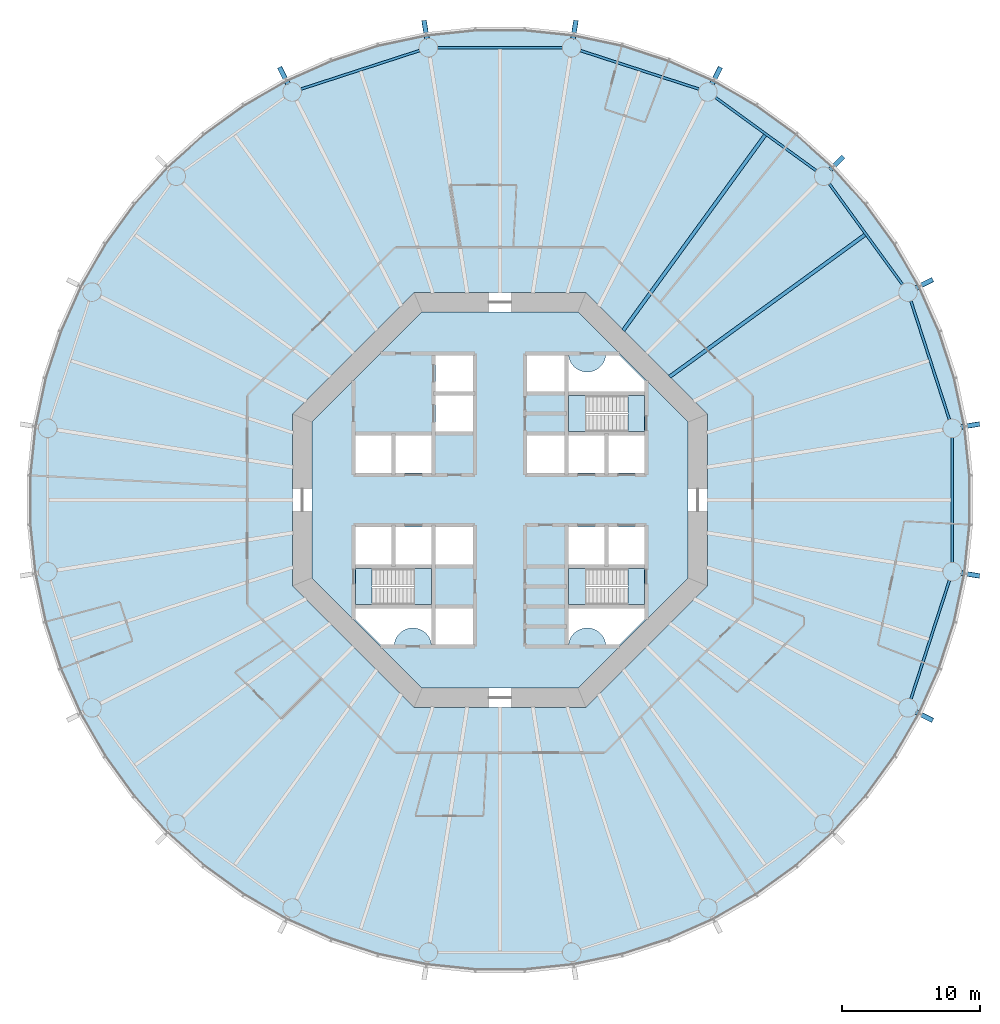
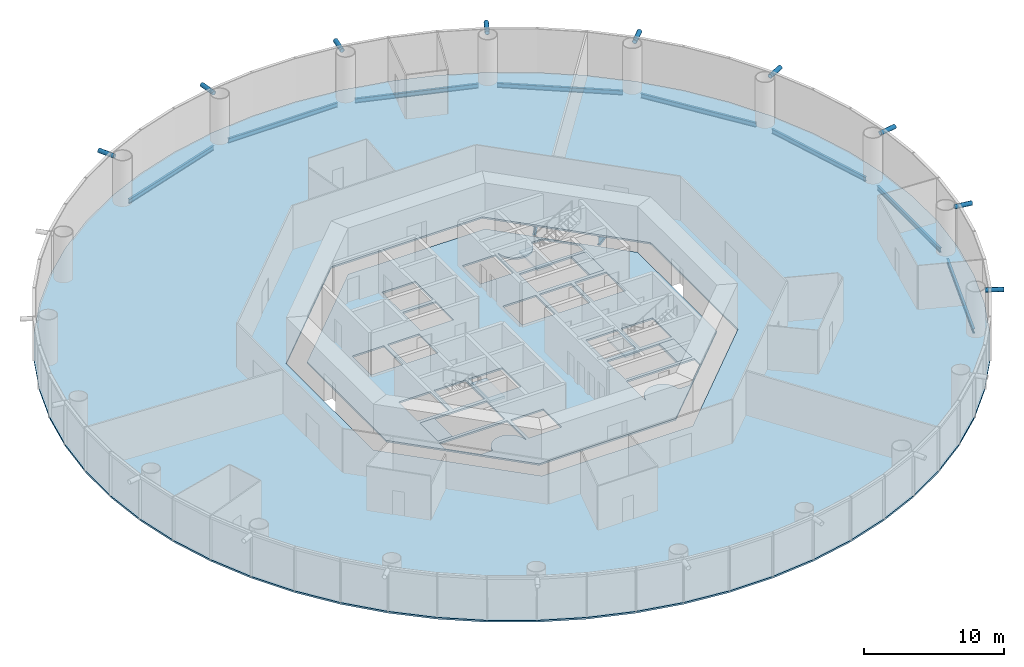
# One storey, part 2 of 13: 10 beams, 9 members, 8 slabs, 3 elements without a shape of their own.
"""IFC4 building model written with IfcOpenShell, lengths in metres."""

from ifc_helpers import new_model, si_unit, direction, frame, origin, origin_2d, place, context, subcontext, project, spatial, polyline, circle, hollow_circle, i_section, outline, extrude, material, layer, layer_set, material_profile, profile_set, type_object, element, aggregate, save


model = new_model("IFC4")

# Units and contexts
model_context = context("Model", 3, precision=1e-05, world=origin(), true_north=direction((0.0, 1.0)))
body_context = subcontext(model_context, "Body", "Model", "MODEL_VIEW")
ifc_project = project(units=[si_unit("LENGTHUNIT", "METRE"), si_unit("AREAUNIT", "SQUARE_METRE"), si_unit("VOLUMEUNIT", "CUBIC_METRE"), si_unit("PLANEANGLEUNIT", "RADIAN"), si_unit("MASSUNIT", "GRAM", prefix="KILO")], contexts=[model_context])

# Site, building, storey
site_placement = place(None, origin())
site = spatial("IfcSite", under=ifc_project, at=site_placement, CompositionType="ELEMENT")
building_placement = place(site_placement, origin())
building = spatial("IfcBuilding", under=site, at=building_placement, Name="Entoto Ring Tower", CompositionType="ELEMENT")
storey_placement = place(building_placement, frame((0.0, 0.0, 50.0)))
storey = spatial("IfcBuildingStorey", under=building, at=storey_placement, Name="L10", CompositionType="ELEMENT", Elevation=50.0)

# Members
ifc_material_1 = material(Name="Steel S355", Category="steel")
ifc_material_profile_1 = material_profile(ifc_material_1, hollow_circle(Radius=0.177734375, WallThickness=0.01611328125, at=origin_2d()), Name="CHS 355.6 x 16")
ifc_material_2 = material(Name="Concrete C60/75", Category="concrete")
ifc_material_profile_2 = material_profile(ifc_material_2, circle(Radius=0.161865234375, at=origin_2d()), Name="Concrete C60/75 infill")
ifc_profile_set_1 = profile_set([ifc_material_profile_1, ifc_material_profile_2], Name="Steel S355")
member_type = type_object("IfcMemberType", Name="Diagrid node strut 355.6 x 16", PredefinedType="STRUT", material=ifc_profile_set_1)
member_1_placement = place(storey_placement, frame((120.07763671875, 95.325439453125, 3.672119140625), z_axis=(0.891057529727, 0.453890381829, 0.0), x_axis=(-0.453890381829, 0.891057529727, 0.0)))
element("IfcMember", 1, at=member_1_placement, inside=storey, type_object=member_type, Name="DS1 strut ring 3 01", PredefinedType="STRUT", context=body_context, shape_type="SweptSolid", body=[
    extrude(hollow_circle(Radius=0.177734375, WallThickness=0.01611328125, at=origin_2d()), origin(), (0.0, 0.0, 1.0), 1.343017578125),
])
member_2_placement = place(storey_placement, frame((113.869873046875, 103.869873046875, 3.672119140625), z_axis=(0.707106781187, 0.707106781187, 0.0), x_axis=(-0.707106781187, 0.707106781187, 0.0)))
element("IfcMember", 2, at=member_2_placement, inside=storey, type_object=member_type, Name="DS1 strut ring 3 02", PredefinedType="STRUT", context=body_context, shape_type="SweptSolid", body=[
    extrude(hollow_circle(Radius=0.177734375, WallThickness=0.01611328125, at=origin_2d()), origin(), (0.0, 0.0, 1.0), 1.3427734375),
])
member_3_placement = place(storey_placement, frame((105.325439453125, 110.07763671875, 3.672119140625), z_axis=(0.453890381829, 0.891057529727, 0.0), x_axis=(-0.891057529727, 0.453890381829, 0.0)))
element("IfcMember", 3, at=member_3_placement, inside=storey, type_object=member_type, Name="DS1 strut ring 3 03", PredefinedType="STRUT", context=body_context, shape_type="SweptSolid", body=[
    extrude(hollow_circle(Radius=0.177734375, WallThickness=0.01611328125, at=origin_2d()), origin(), (0.0, 0.0, 1.0), 1.343017578125),
])
for number, where, z_axis, x_axis, name in (
    (4, (95.28076171875, 113.34130859375, 3.672119140625), (0.156494564579, 0.987678819889, 0.0), (-0.987678819889, 0.156494564579, 0.0), "DS1 strut ring 3 04"),
    (5, (84.71923828125, 113.34130859375, 3.672119140625), (-0.156494564579, 0.987678819889, 0.0), (-0.987678819889, -0.156494564579, 0.0), "DS1 strut ring 3 05"),
):
    element("IfcMember", number, at=place(storey_placement, frame(where, z_axis=z_axis, x_axis=x_axis)), inside=storey, type_object=member_type, Name=name, PredefinedType="STRUT", context=body_context, shape_type="SweptSolid", body=[
        extrude(hollow_circle(Radius=0.177734375, WallThickness=0.01611328125, at=origin_2d()), origin(), (0.0, 0.0, 1.0), 1.34326171875),
    ])
for number, where, z_axis, x_axis, name in (
    (6, (74.674560546875, 110.07763671875, 3.672119140625), (-0.453890381829, 0.891057529727, 0.0), (-0.891057529727, -0.453890381829, 0.0), "DS1 strut ring 3 06"),
    (7, (120.07763671875, 64.674560546875, 3.672119140625), (0.891057529727, -0.453890381829, 0.0), (0.453890381829, 0.891057529727, 0.0), "DS1 strut ring 3 18"),
):
    element("IfcMember", number, at=place(storey_placement, frame(where, z_axis=z_axis, x_axis=x_axis)), inside=storey, type_object=member_type, Name=name, PredefinedType="STRUT", context=body_context, shape_type="SweptSolid", body=[
        extrude(hollow_circle(Radius=0.177734375, WallThickness=0.01611328125, at=origin_2d()), origin(), (0.0, 0.0, 1.0), 1.343017578125),
    ])
for number, where, z_axis, x_axis, name in (
    (8, (123.34130859375, 74.71923828125, 3.672119140625), (0.987678819889, -0.156494564579, 0.0), (0.156494564579, 0.987678819889, 0.0), "DS1 strut ring 3 19"),
    (9, (123.34130859375, 85.28076171875, 3.672119140625), (0.987678819889, 0.156494564579, 0.0), (-0.156494564579, 0.987678819889, 0.0), "DS1 strut ring 3 20"),
):
    element("IfcMember", number, at=place(storey_placement, frame(where, z_axis=z_axis, x_axis=x_axis)), inside=storey, type_object=member_type, Name=name, PredefinedType="STRUT", context=body_context, shape_type="SweptSolid", body=[
        extrude(hollow_circle(Radius=0.177734375, WallThickness=0.01611328125, at=origin_2d()), origin(), (0.0, 0.0, 1.0), 1.34326171875),
    ])

# Beams
ifc_material_3 = material(Name="Steel S355", Category="steel")
ifc_material_profile_3 = material_profile(ifc_material_3, i_section(OverallWidth=0.179931640625, OverallDepth=0.39990234375, WebThickness=0.008544921875, FlangeThickness=0.013427734375, FilletRadius=0.02099609375, at=origin_2d()), Name="IPE 400")
ifc_profile_set_2 = profile_set([ifc_material_profile_3], Name="Steel S355")
beam_type_1 = type_object("IfcBeamType", Name="Edge beam IPE 400", PredefinedType="SPANDREL", material=ifc_profile_set_2)
for number, where, z_axis, x_axis, name in (
    (10, (122.484130859375, 85.819091796875, -0.35009765625), (-0.309006400295, 0.951059958455, 0.0), (-0.951059958455, -0.309006400295, 0.0), "Edge beam L10 01"),
    (11, (119.09619140625, 95.572509765625, -0.35009765625), (-0.587792917156, 0.80901142547, 0.0), (-0.80901142547, -0.587792917156, 0.0), "Edge beam L10 02"),
    (12, (112.85986328125, 103.801513671875, -0.35009765625), (-0.80901142547, 0.587792917156, 0.0), (-0.587792917156, -0.80901142547, 0.0), "Edge beam L10 03"),
    (13, (104.385986328125, 109.70068359375, -0.35009765625), (-0.951059958455, 0.309006400295, 0.0), (-0.309006400295, -0.951059958455, 0.0), "Edge beam L10 04"),
    (14, (94.50390625, 112.6923828125, -0.35009765625), (-1.0, 0.0, 0.0), (0.0, -1.0, 0.0), "Edge beam L10 05"),
    (15, (84.180908203125, 112.484130859375, -0.35009765625), (-0.951059958455, -0.309006400295, 0.0), (0.309006400295, -0.951059958455, 0.0), "Edge beam L10 06"),
    (16, (119.70068359375, 65.614013671875, -0.35009765625), (0.309006400295, 0.951059958455, 0.0), (-0.951059958455, 0.309006400295, 0.0), "Edge beam L10 19"),
    (17, (122.6923828125, 75.49609375, -0.35009765625), (0.0, 1.0, 0.0), (-1.0, 0.0, 0.0), "Edge beam L10 20"),
):
    element("IfcBeam", number, at=place(storey_placement, frame(where, z_axis=z_axis, x_axis=x_axis)), inside=storey, type_object=beam_type_1, Name=name, PredefinedType="SPANDREL", context=body_context, shape_type="SweptSolid", body=[
        extrude(i_section(OverallWidth=0.179931640625, OverallDepth=0.39990234375, WebThickness=0.008544921875, FlangeThickness=0.013427734375, FilletRadius=0.02099609375, at=origin_2d()), origin(), (0.0, 0.0, 1.0), 9.0078125),
    ])
ifc_material_4 = material(Name="Steel S355", Category="steel")
ifc_material_profile_4 = material_profile(ifc_material_4, i_section(OverallWidth=0.262939453125, OverallDepth=0.7529296875, WebThickness=0.011474609375, FlangeThickness=0.01708984375, FilletRadius=0.01708984375, at=origin_2d()), Name="IPE 750 x 137")
ifc_profile_set_3 = profile_set([ifc_material_profile_4], Name="Steel S355")
beam_type_2 = type_object("IfcBeamType", Name="Secondary floor beam IPE 750 x 137", PredefinedType="JOIST", material=ifc_profile_set_3)
for number, where, z_axis, x_axis, name in (
    (18, (102.25341796875, 88.902587890625, -0.526611328125), (0.809014194973, 0.58778910532, 0.0), (-0.58778910532, 0.809014194973, 0.0), "Secondary beam L10 02"),
    (19, (98.902587890625, 92.25341796875, -0.526611328125), (0.58778910532, 0.809014194973, 0.0), (-0.809014194973, 0.58778910532, 0.0), "Secondary beam L10 03"),
):
    element("IfcBeam", number, at=place(storey_placement, frame(where, z_axis=z_axis, x_axis=x_axis)), inside=storey, type_object=beam_type_2, Name=name, PredefinedType="JOIST", context=body_context, shape_type="SweptSolid", body=[
        extrude(i_section(OverallWidth=0.262939453125, OverallDepth=0.7529296875, WebThickness=0.011474609375, FlangeThickness=0.01708984375, FilletRadius=0.01708984375, at=origin_2d()), origin(), (0.0, 0.0, 1.0), 17.45654296875),
    ])

# Slabs
ifc_material_5 = material(Name="Concrete C30/37", Category="concrete")
ifc_layer_1 = layer(ifc_material_5, 0.14990234375)
ifc_layer_set_1 = layer_set([ifc_layer_1], Name="Concrete C30/37")
slab_type_1 = type_object("IfcSlabType", Name="Composite floor slab 150 mm", PredefinedType="FLOOR", material=ifc_layer_set_1)
slab_1_placement = place(storey_placement, frame((0.0, 0.0, -0.14990234375)))
element("IfcSlab", 20, at=slab_1_placement, inside=storey, type_object=slab_type_1, Name="Floor slab L10", PredefinedType="FLOOR", context=body_context, shape_type="SweptSolid", body=[
    extrude(outline(polyline([(123.68017578125, 85.33447265625), (122.93798828125, 88.82568359375), (121.835205078125, 92.220458984375), (120.38330078125, 95.48095703125), (118.5986328125, 98.572265625), (116.500732421875, 101.459716796875), (114.1123046875, 104.1123046875), (111.459716796875, 106.500732421875), (108.572265625, 108.5986328125), (105.48095703125, 110.38330078125), (102.220458984375, 111.835205078125), (98.82568359375, 112.93798828125), (95.33447265625, 113.68017578125), (91.78466796875, 114.05322265625), (88.21533203125, 114.05322265625), (84.66552734375, 113.68017578125), (81.17431640625, 112.93798828125), (77.779541015625, 111.835205078125), (74.51904296875, 110.38330078125), (71.427734375, 108.5986328125), (68.540283203125, 106.500732421875), (65.8876953125, 104.1123046875), (63.499267578125, 101.459716796875), (61.4013671875, 98.572265625), (59.61669921875, 95.48095703125), (58.164794921875, 92.220458984375), (57.06201171875, 88.82568359375), (56.31982421875, 85.33447265625), (55.94677734375, 81.78466796875), (55.94677734375, 78.21533203125), (56.31982421875, 74.66552734375), (57.06201171875, 71.17431640625), (58.164794921875, 67.779541015625), (59.61669921875, 64.51904296875), (61.4013671875, 61.427734375), (63.499267578125, 58.540283203125), (65.8876953125, 55.8876953125), (68.540283203125, 53.499267578125), (71.427734375, 51.4013671875), (74.51904296875, 49.61669921875), (77.779541015625, 48.164794921875), (81.17431640625, 47.06201171875), (84.66552734375, 46.31982421875), (88.21533203125, 45.94677734375), (91.78466796875, 45.94677734375), (95.33447265625, 46.31982421875), (98.82568359375, 47.06201171875), (102.220458984375, 48.164794921875), (105.48095703125, 49.61669921875), (108.572265625, 51.4013671875), (111.459716796875, 53.499267578125), (114.1123046875, 55.8876953125), (116.500732421875, 58.540283203125), (118.5986328125, 61.427734375), (120.38330078125, 64.51904296875), (121.835205078125, 67.779541015625), (122.93798828125, 71.17431640625), (123.68017578125, 74.66552734375), (124.05322265625, 78.21533203125), (124.05322265625, 81.78466796875), (123.68017578125, 85.33447265625)]), holes=[polyline([(105.0, 73.786865234375), (105.0, 86.213134765625), (96.213134765625, 95.0), (83.786865234375, 95.0), (75.0, 86.213134765625), (75.0, 73.786865234375), (83.786865234375, 65.0), (96.213134765625, 65.0), (105.0, 73.786865234375)])]), origin(), (0.0, 0.0, 1.0), 0.14990234375),
])
ifc_material_6 = material(Name="Concrete C40/50", Category="concrete")
ifc_layer_2 = layer(ifc_material_6, 0.14990234375)
ifc_layer_set_2 = layer_set([ifc_layer_2], Name="Concrete C40/50")
slab_type_2 = type_object("IfcSlabType", Name="Core floor slab 150 mm reinforced concrete C40/50", PredefinedType="FLOOR", material=ifc_layer_set_2)
slab_2_placement = place(storey_placement, frame((0.0, 0.0, -0.14990234375)))
element("IfcSlab", 21, at=slab_2_placement, inside=storey, type_object=slab_type_2, Name="Core floor L10", PredefinedType="FLOOR", context=body_context, shape_type="SweptSolid", body=[
    extrude(outline(polyline([(103.60009765625, 74.36669921875), (103.60009765625, 85.63330078125), (95.63330078125, 93.60009765625), (84.36669921875, 93.60009765625), (76.39990234375, 85.63330078125), (76.39990234375, 74.36669921875), (84.36669921875, 66.39990234375), (95.63330078125, 66.39990234375), (103.60009765625, 74.36669921875)]), holes=[polyline([(100.449951171875, 84.949951171875), (100.449951171875, 87.550048828125), (94.949951171875, 87.550048828125), (94.949951171875, 84.949951171875), (100.449951171875, 84.949951171875)]), polyline([(85.050048828125, 72.449951171875), (85.050048828125, 75.050048828125), (79.550048828125, 75.050048828125), (79.550048828125, 72.449951171875), (85.050048828125, 72.449951171875)]), polyline([(100.449951171875, 72.449951171875), (100.449951171875, 75.050048828125), (94.949951171875, 75.050048828125), (94.949951171875, 72.449951171875), (100.449951171875, 72.449951171875)]), polyline([(94.949951171875, 81.949951171875), (97.550048828125, 81.949951171875), (97.550048828125, 84.64990234375), (94.949951171875, 84.64990234375), (94.949951171875, 81.949951171875)]), polyline([(97.85009765625, 81.949951171875), (100.449951171875, 81.949951171875), (100.449951171875, 84.64990234375), (97.85009765625, 84.64990234375), (97.85009765625, 81.949951171875)]), polyline([(82.449951171875, 81.949951171875), (85.050048828125, 81.949951171875), (85.050048828125, 84.64990234375), (82.449951171875, 84.64990234375), (82.449951171875, 81.949951171875)]), polyline([(94.949951171875, 75.35009765625), (97.550048828125, 75.35009765625), (97.550048828125, 78.050048828125), (94.949951171875, 78.050048828125), (94.949951171875, 75.35009765625)]), polyline([(97.85009765625, 75.35009765625), (100.449951171875, 75.35009765625), (100.449951171875, 78.050048828125), (97.85009765625, 78.050048828125), (97.85009765625, 75.35009765625)]), polyline([(82.449951171875, 75.35009765625), (85.050048828125, 75.35009765625), (85.050048828125, 78.050048828125), (82.449951171875, 78.050048828125), (82.449951171875, 75.35009765625)]), polyline([(79.550048828125, 81.949951171875), (82.14990234375, 81.949951171875), (82.14990234375, 84.64990234375), (79.550048828125, 84.64990234375), (79.550048828125, 81.949951171875)]), polyline([(79.550048828125, 75.35009765625), (82.14990234375, 75.35009765625), (82.14990234375, 78.050048828125), (79.550048828125, 78.050048828125), (79.550048828125, 75.35009765625)]), polyline([(91.949951171875, 87.85009765625), (94.64990234375, 87.85009765625), (94.64990234375, 90.449951171875), (91.949951171875, 90.449951171875), (91.949951171875, 87.85009765625)]), polyline([(85.35009765625, 69.550048828125), (88.050048828125, 69.550048828125), (88.050048828125, 72.14990234375), (85.35009765625, 72.14990234375), (85.35009765625, 69.550048828125)]), polyline([(91.949951171875, 81.949951171875), (94.64990234375, 81.949951171875), (94.64990234375, 84.64990234375), (91.949951171875, 84.64990234375), (91.949951171875, 81.949951171875)]), polyline([(85.35009765625, 75.35009765625), (88.050048828125, 75.35009765625), (88.050048828125, 78.050048828125), (85.35009765625, 78.050048828125), (85.35009765625, 75.35009765625)]), polyline([(85.35009765625, 84.949951171875), (88.050048828125, 84.949951171875), (88.050048828125, 87.550048828125), (85.35009765625, 87.550048828125), (85.35009765625, 84.949951171875)]), polyline([(85.35009765625, 87.85009765625), (88.050048828125, 87.85009765625), (88.050048828125, 90.449951171875), (85.35009765625, 90.449951171875), (85.35009765625, 87.85009765625)]), polyline([(94.89990234375, 90.5), (94.89990234375, 87.800048828125), (100.5, 87.800048828125), (100.5, 88.591796875), (98.591796875, 90.5), (97.64501953125, 90.5), (97.6435546875, 90.4677734375), (97.6240234375, 90.336669921875), (97.591796875, 90.2080078125), (97.547119140625, 90.08349609375), (97.490478515625, 89.963623046875), (97.422607421875, 89.85009765625), (97.343505859375, 89.74365234375), (97.254638671875, 89.6455078125), (97.156494140625, 89.556396484375), (97.050048828125, 89.4775390625), (96.936279296875, 89.409423828125), (96.816650390625, 89.352783203125), (96.69189453125, 89.30810546875), (96.5634765625, 89.27587890625), (96.432373046875, 89.256591796875), (96.300048828125, 89.25), (96.167724609375, 89.256591796875), (96.03662109375, 89.27587890625), (95.908203125, 89.30810546875), (95.783447265625, 89.352783203125), (95.66357421875, 89.409423828125), (95.550048828125, 89.4775390625), (95.443603515625, 89.556396484375), (95.345458984375, 89.6455078125), (95.25634765625, 89.74365234375), (95.177490234375, 89.85009765625), (95.109375, 89.963623046875), (95.052734375, 90.08349609375), (95.008056640625, 90.2080078125), (94.975830078125, 90.336669921875), (94.95654296875, 90.4677734375), (94.954833984375, 90.5), (94.89990234375, 90.5)]), polyline([(79.5, 71.408203125), (81.408203125, 69.5), (82.35498046875, 69.5), (82.3564453125, 69.5322265625), (82.3759765625, 69.663330078125), (82.408203125, 69.7919921875), (82.452880859375, 69.91650390625), (82.509521484375, 70.036376953125), (82.577392578125, 70.14990234375), (82.656494140625, 70.25634765625), (82.745361328125, 70.3544921875), (82.843505859375, 70.443603515625), (82.949951171875, 70.5224609375), (83.063720703125, 70.590576171875), (83.183349609375, 70.647216796875), (83.30810546875, 70.69189453125), (83.4365234375, 70.72412109375), (83.567626953125, 70.743408203125), (83.699951171875, 70.75), (83.832275390625, 70.743408203125), (83.96337890625, 70.72412109375), (84.091796875, 70.69189453125), (84.216552734375, 70.647216796875), (84.33642578125, 70.590576171875), (84.449951171875, 70.5224609375), (84.556396484375, 70.443603515625), (84.654541015625, 70.3544921875), (84.74365234375, 70.25634765625), (84.822509765625, 70.14990234375), (84.890625, 70.036376953125), (84.947265625, 69.91650390625), (84.991943359375, 69.7919921875), (85.024169921875, 69.663330078125), (85.04345703125, 69.5322265625), (85.045166015625, 69.5), (85.10009765625, 69.5), (85.10009765625, 72.199951171875), (79.5, 72.199951171875), (79.5, 71.408203125)]), polyline([(97.64501953125, 69.5), (98.591796875, 69.5), (100.5, 71.408203125), (100.5, 72.199951171875), (94.89990234375, 72.199951171875), (94.89990234375, 69.5), (94.954833984375, 69.5), (94.95654296875, 69.5322265625), (94.975830078125, 69.663330078125), (95.008056640625, 69.7919921875), (95.052734375, 69.91650390625), (95.109375, 70.036376953125), (95.177490234375, 70.14990234375), (95.25634765625, 70.25634765625), (95.345458984375, 70.3544921875), (95.443603515625, 70.443603515625), (95.550048828125, 70.5224609375), (95.66357421875, 70.590576171875), (95.783447265625, 70.647216796875), (95.908203125, 70.69189453125), (96.03662109375, 70.72412109375), (96.167724609375, 70.743408203125), (96.300048828125, 70.75), (96.432373046875, 70.743408203125), (96.5634765625, 70.72412109375), (96.69189453125, 70.69189453125), (96.816650390625, 70.647216796875), (96.936279296875, 70.590576171875), (97.050048828125, 70.5224609375), (97.156494140625, 70.443603515625), (97.254638671875, 70.3544921875), (97.343505859375, 70.25634765625), (97.422607421875, 70.14990234375), (97.490478515625, 70.036376953125), (97.547119140625, 69.91650390625), (97.591796875, 69.7919921875), (97.6240234375, 69.663330078125), (97.6435546875, 69.5322265625), (97.64501953125, 69.5)])]), origin(), (0.0, 0.0, 1.0), 0.14990234375),
])

# Stair, slabs
ifc_material_7 = material(Name="Concrete C40/50", Category="concrete")
stair_type = type_object("IfcStairType", Name="Exit stair 1200 mm dog-leg reinforced concrete", PredefinedType="HALF_TURN_STAIR", material=ifc_material_7)
stair_1_placement = place(storey_placement, origin())
stair_1 = element("IfcStair", 22, at=stair_1_placement, inside=storey, type_object=stair_type, Name="Exit stair 1", PredefinedType="HALF_TURN_STAIR")
ifc_material_8 = material(Name="Concrete C40/50", Category="concrete")
ifc_layer_3 = layer(ifc_material_8, 0.199951171875)
ifc_layer_set_3 = layer_set([ifc_layer_3], Name="Concrete C40/50")
slab_type_3 = type_object("IfcSlabType", Name="Stair landing 200 mm reinforced concrete", PredefinedType="LANDING", material=ifc_layer_set_3)
slab_3_placement = place(storey_placement, frame((0.0, 0.0, -0.199951171875)))
slab_3 = element("IfcSlab", 23, at=slab_3_placement, type_object=slab_type_3, Name="ST1 landing 1", PredefinedType="LANDING", context=body_context, shape_type="SweptSolid", body=[
    extrude(outline(polyline([(100.449951171875, 84.949951171875), (100.449951171875, 87.550048828125), (99.25, 87.550048828125), (99.25, 84.949951171875), (100.449951171875, 84.949951171875)])), origin(), (0.0, 0.0, 1.0), 0.199951171875),
])
slab_4_placement = place(storey_placement, frame((0.0, 0.0, 1.800048828125)))
slab_4 = element("IfcSlab", 24, at=slab_4_placement, type_object=slab_type_3, Name="ST1 landing 2", PredefinedType="LANDING", context=body_context, shape_type="SweptSolid", body=[
    extrude(outline(polyline([(94.949951171875, 84.949951171875), (96.169921875, 84.949951171875), (96.169921875, 87.550048828125), (94.949951171875, 87.550048828125), (94.949951171875, 84.949951171875)])), origin(), (0.0, 0.0, 1.0), 0.199951171875),
])
aggregate(stair_1, [slab_3, slab_4])

stair_2_placement = place(storey_placement, origin())
stair_2 = element("IfcStair", 25, at=stair_2_placement, inside=storey, type_object=stair_type, Name="Exit stair 2", PredefinedType="HALF_TURN_STAIR")
slab_5_placement = place(storey_placement, frame((0.0, 0.0, -0.199951171875)))
slab_5 = element("IfcSlab", 26, at=slab_5_placement, type_object=slab_type_3, Name="ST2 landing 1", PredefinedType="LANDING", context=body_context, shape_type="SweptSolid", body=[
    extrude(outline(polyline([(80.75, 72.449951171875), (80.75, 75.050048828125), (79.550048828125, 75.050048828125), (79.550048828125, 72.449951171875), (80.75, 72.449951171875)])), origin(), (0.0, 0.0, 1.0), 0.199951171875),
])
slab_6_placement = place(storey_placement, frame((0.0, 0.0, 1.800048828125)))
slab_6 = element("IfcSlab", 27, at=slab_6_placement, type_object=slab_type_3, Name="ST2 landing 2", PredefinedType="LANDING", context=body_context, shape_type="SweptSolid", body=[
    extrude(outline(polyline([(83.830078125, 72.449951171875), (85.050048828125, 72.449951171875), (85.050048828125, 75.050048828125), (83.830078125, 75.050048828125), (83.830078125, 72.449951171875)])), origin(), (0.0, 0.0, 1.0), 0.199951171875),
])
aggregate(stair_2, [slab_5, slab_6])

stair_3_placement = place(storey_placement, origin())
stair_3 = element("IfcStair", 28, at=stair_3_placement, inside=storey, type_object=stair_type, Name="Exit stair 3", PredefinedType="HALF_TURN_STAIR")
slab_7_placement = place(storey_placement, frame((0.0, 0.0, -0.199951171875)))
slab_7 = element("IfcSlab", 29, at=slab_7_placement, type_object=slab_type_3, Name="ST3 landing 1", PredefinedType="LANDING", context=body_context, shape_type="SweptSolid", body=[
    extrude(outline(polyline([(100.449951171875, 72.449951171875), (100.449951171875, 75.050048828125), (99.25, 75.050048828125), (99.25, 72.449951171875), (100.449951171875, 72.449951171875)])), origin(), (0.0, 0.0, 1.0), 0.199951171875),
])
slab_8_placement = place(storey_placement, frame((0.0, 0.0, 1.800048828125)))
slab_8 = element("IfcSlab", 30, at=slab_8_placement, type_object=slab_type_3, Name="ST3 landing 2", PredefinedType="LANDING", context=body_context, shape_type="SweptSolid", body=[
    extrude(outline(polyline([(94.949951171875, 72.449951171875), (96.169921875, 72.449951171875), (96.169921875, 75.050048828125), (94.949951171875, 75.050048828125), (94.949951171875, 72.449951171875)])), origin(), (0.0, 0.0, 1.0), 0.199951171875),
])
aggregate(stair_3, [slab_7, slab_8])

save(model, "model.ifc")
